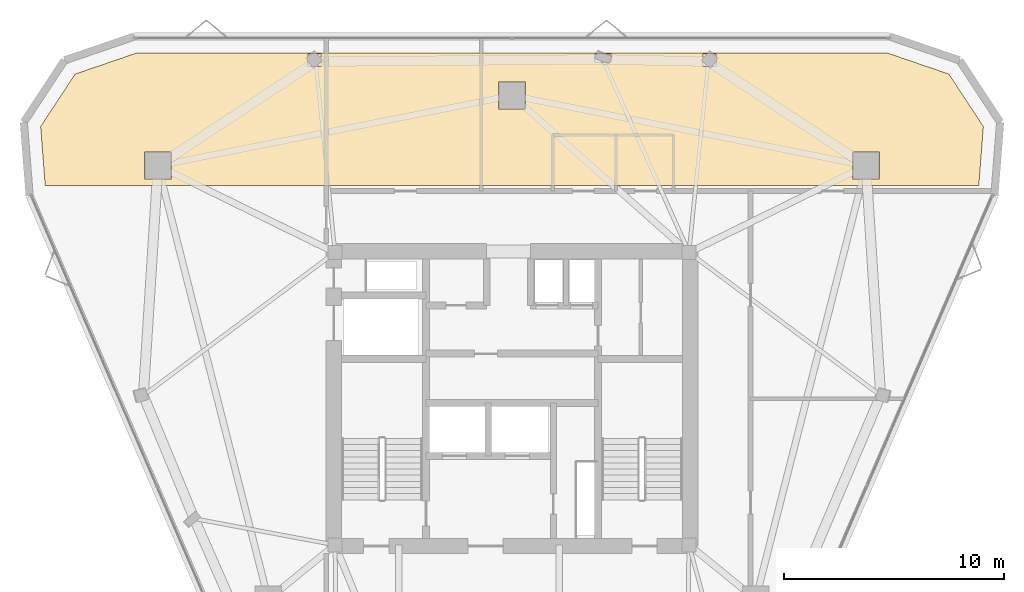
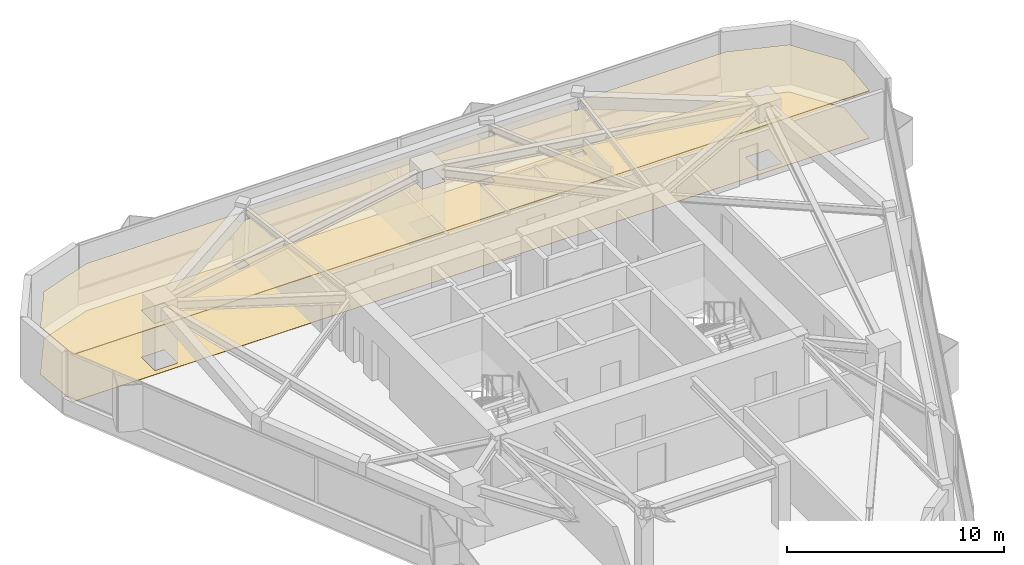
# One storey, part 12 of 12: 2 coverings.
"""IFC4 building model written with IfcOpenShell, lengths in metres."""

from ifc_helpers import new_model, si_unit, direction, frame, origin, place, context, subcontext, project, spatial, polyline, outline, extrude, material, layer, layer_set, type_object, element, save


model = new_model("IFC4")

# Units and contexts
model_context = context("Model", 3, precision=1e-05, world=origin(), true_north=direction((0.0, 1.0)))
body_context = subcontext(model_context, "Body", "Model", "MODEL_VIEW")
ifc_project = project(units=[si_unit("LENGTHUNIT", "METRE"), si_unit("AREAUNIT", "SQUARE_METRE"), si_unit("VOLUMEUNIT", "CUBIC_METRE"), si_unit("PLANEANGLEUNIT", "RADIAN"), si_unit("MASSUNIT", "GRAM", prefix="KILO")], contexts=[model_context])

# Site, building, storey
site_placement = place(None, origin())
site = spatial("IfcSite", under=ifc_project, at=site_placement, CompositionType="ELEMENT")
building_placement = place(site_placement, origin())
building = spatial("IfcBuilding", under=site, at=building_placement, Name="Talyreon Biosciences Tower", CompositionType="ELEMENT")
storey_placement = place(building_placement, frame((0.0, 0.0, 268.10009765625)))
storey = spatial("IfcBuildingStorey", under=building, at=storey_placement, Name="L71", CompositionType="ELEMENT", Elevation=268.10009765625)

# Coverings
ifc_material_1 = material(Name="Cleanable acoustic mineral-fibre ceiling tile", Category="gypsum")
ifc_layer_1 = layer(ifc_material_1, 0.0400390625)
ifc_layer_set_1 = layer_set([ifc_layer_1], Name="Cleanable acoustic mineral-fibre ceiling tile")
covering_type_1 = type_object("IfcCoveringType", Name="AcousticCleanroomCeiling_40", PredefinedType="CEILING", material=ifc_layer_set_1)
covering_1_placement = place(storey_placement, frame((0.0, 0.0, 2.639892578125)))
element("IfcCovering", 1, at=covering_1_placement, inside=storey, type_object=covering_type_1, Name="L71 Acoustic Laboratory Ceiling", PredefinedType="CEILING", context=body_context, shape_type="SweptSolid", body=[
    extrude(outline(polyline([(46.1259765625, 82.766845703125), (48.95166015625, 83.734130859375), (83.04833984375, 83.734130859375), (85.8740234375, 82.766845703125), (87.441650390625, 80.381103515625), (87.231201171875, 77.699951171875), (44.768798828125, 77.699951171875), (44.558349609375, 80.381103515625), (46.1259765625, 82.766845703125)]), holes=[polyline([(49.28271484375, 77.983642578125), (50.5126953125, 77.983642578125), (50.5126953125, 79.213623046875), (49.28271484375, 79.213623046875), (49.28271484375, 77.983642578125)]), polyline([(65.385009765625, 81.173828125), (66.614990234375, 81.173828125), (66.614990234375, 82.40380859375), (65.385009765625, 82.40380859375), (65.385009765625, 81.173828125)]), polyline([(56.73095703125, 83.685302734375), (56.73095703125, 83.105224609375), (57.310791015625, 83.105224609375), (57.310791015625, 83.685302734375), (56.73095703125, 83.685302734375)]), polyline([(82.71728515625, 77.983642578125), (82.71728515625, 79.213623046875), (81.4873046875, 79.213623046875), (81.4873046875, 77.983642578125), (82.71728515625, 77.983642578125)]), polyline([(75.26904296875, 83.685302734375), (74.68896484375, 83.685302734375), (74.68896484375, 83.105224609375), (75.26904296875, 83.105224609375), (75.26904296875, 83.685302734375)]), polyline([(70.509033203125, 83.685302734375), (69.779052734375, 83.685302734375), (69.779052734375, 83.305419921875), (70.509033203125, 83.305419921875), (70.509033203125, 83.685302734375)])]), origin(), (0.0, 0.0, 1.0), 0.0400390625),
])
ifc_material_2 = material(Name="Chemical-resistant seamless epoxy resin flooring", Category="plastic")
ifc_layer_2 = layer(ifc_material_2, 0.014892578125)
ifc_layer_set_2 = layer_set([ifc_layer_2], Name="Chemical-resistant seamless epoxy resin flooring")
covering_type_2 = type_object("IfcCoveringType", Name="SeamlessEpoxyLabFlooring_15", PredefinedType="FLOORING", material=ifc_layer_set_2)
covering_2_placement = place(storey_placement, origin())
element("IfcCovering", 2, at=covering_2_placement, inside=storey, type_object=covering_type_2, Name="L71 Laboratory Floor Finish", PredefinedType="FLOORING", context=body_context, shape_type="SweptSolid", body=[
    extrude(outline(polyline([(46.1259765625, 82.766845703125), (48.95166015625, 83.734130859375), (83.04833984375, 83.734130859375), (85.8740234375, 82.766845703125), (87.441650390625, 80.381103515625), (87.231201171875, 77.699951171875), (44.768798828125, 77.699951171875), (44.558349609375, 80.381103515625), (46.1259765625, 82.766845703125)]), holes=[polyline([(49.28271484375, 77.983642578125), (50.5126953125, 77.983642578125), (50.5126953125, 79.213623046875), (49.28271484375, 79.213623046875), (49.28271484375, 77.983642578125)]), polyline([(65.385009765625, 81.173828125), (66.614990234375, 81.173828125), (66.614990234375, 82.40380859375), (65.385009765625, 82.40380859375), (65.385009765625, 81.173828125)]), polyline([(56.73095703125, 83.685302734375), (56.73095703125, 83.105224609375), (57.310791015625, 83.105224609375), (57.310791015625, 83.685302734375), (56.73095703125, 83.685302734375)]), polyline([(82.71728515625, 77.983642578125), (82.71728515625, 79.213623046875), (81.4873046875, 79.213623046875), (81.4873046875, 77.983642578125), (82.71728515625, 77.983642578125)]), polyline([(75.26904296875, 83.685302734375), (74.68896484375, 83.685302734375), (74.68896484375, 83.105224609375), (75.26904296875, 83.105224609375), (75.26904296875, 83.685302734375)]), polyline([(70.509033203125, 83.685302734375), (69.779052734375, 83.685302734375), (69.779052734375, 83.305419921875), (70.509033203125, 83.305419921875), (70.509033203125, 83.685302734375)])]), origin(), (0.0, 0.0, 1.0), 0.014892578125),
])

save(model, "model.ifc")
